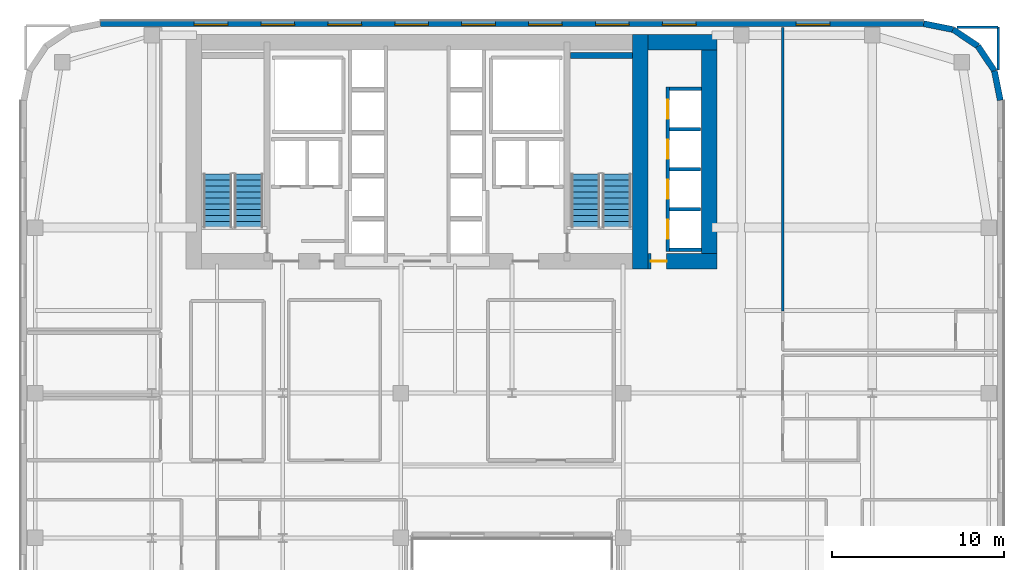
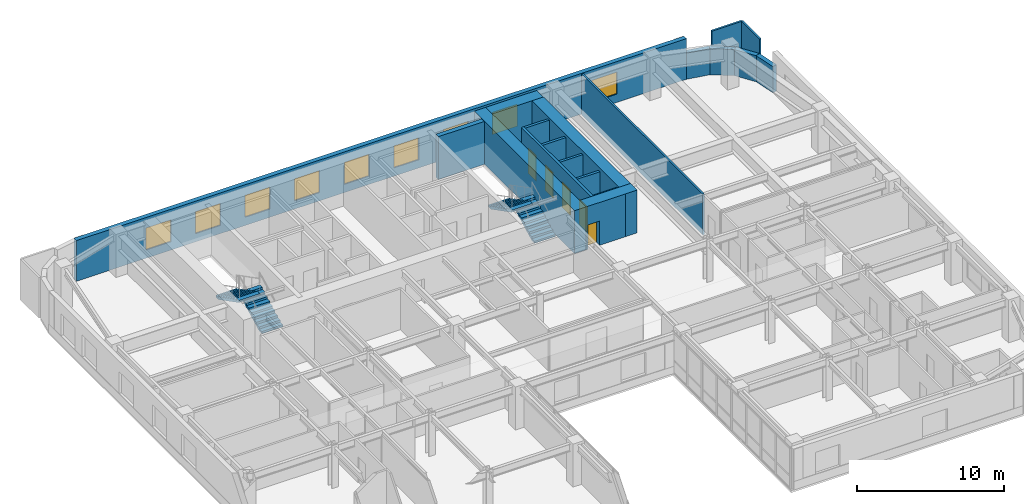
# One storey, part 18 of 24: 19 walls, 9 windows, 5 doors, 4 stair flights, 14 openings, 2 elements without a shape of their own.
"""IFC4 building model written with IfcOpenShell, lengths in metres."""

from ifc_helpers import new_model, si_unit, direction, frame, frame_2d, origin, place, context, subcontext, project, spatial, polyline, rectangle, outline, extrude, source, transform, mapped, material, layer, layer_set, type_object, type_shapes, element, fill, aggregate, save


model = new_model("IFC4")

# Units and contexts
model_context = context("Model", 3, precision=1e-05, world=origin(), true_north=direction((0.0, 1.0)))
body_context = subcontext(model_context, "Body", "Model", "MODEL_VIEW")
ifc_project = project(units=[si_unit("LENGTHUNIT", "METRE"), si_unit("AREAUNIT", "SQUARE_METRE"), si_unit("VOLUMEUNIT", "CUBIC_METRE"), si_unit("PLANEANGLEUNIT", "RADIAN"), si_unit("MASSUNIT", "GRAM", prefix="KILO")], contexts=[model_context])

# Site, building, storey
site_placement = place(None, origin())
site = spatial("IfcSite", under=ifc_project, at=site_placement, CompositionType="ELEMENT")
building_placement = place(site_placement, origin())
building = spatial("IfcBuilding", under=site, at=building_placement, Name="Tolvann Quenvar Hotel", CompositionType="ELEMENT")
storey_placement = place(building_placement, frame((0.0, 0.0, 88.800048828125)))
storey = spatial("IfcBuildingStorey", under=building, at=storey_placement, Name="L22", CompositionType="ELEMENT", Elevation=88.800048828125)

# Wall
ifc_material_1 = material(Name="Concrete S80 (80 MPa)", Category="concrete")
ifc_layer_1 = layer(ifc_material_1, 0.89990234375)
ifc_layer_set_1 = layer_set([ifc_layer_1], Name="Concrete S80 (80 MPa)")
wall_type_1 = type_object("IfcWallType", Name="WALL_CORE_900", PredefinedType="SHEAR", material=ifc_layer_set_1)
wall_1_placement = place(storey_placement, frame((35.949951171875, 31.60009765625, 0.0), z_axis=(0.0, 0.0, 1.0), x_axis=(0.0, 1.0, 0.0)))
element("IfcWall", 1, at=wall_1_placement, inside=storey, type_object=wall_type_1, Name="Rear Core E Shear Wall (L22)", PredefinedType="SHEAR", context=body_context, shape_type="SweptSolid", body=[
    extrude(rectangle(XDim=13.599853515625, YDim=0.89990234375, at=frame_2d((6.7998046875, 0.0))), origin(), (0.0, 0.0, 1.0), 3.550048828125),
])

# Wall, opening, door
wall_2_placement = place(storey_placement, frame((36.39990234375, 32.050048828125, 0.0), z_axis=(0.0, 0.0, 1.0), x_axis=(1.0, 0.0, 0.0)))
wall_2 = element("IfcWall", 2, at=wall_2_placement, inside=storey, type_object=wall_type_1, Name="Core East Annex Shear Wall ANN-S (L22)", PredefinedType="SHEAR", context=body_context, shape_type="SweptSolid", body=[
    extrude(rectangle(XDim=4.0, YDim=0.89990234375, at=frame_2d((2.0, 0.0))), origin(), (0.0, 0.0, 1.0), 3.550048828125),
])
opening_1_placement = place(wall_2_placement, frame((1.06982421875, 0.0, 0.0), z_axis=(0.0, 0.0, 1.0), x_axis=(-1.0, 0.0, 0.0)))
opening_1 = element("IfcOpeningElement", 3, at=opening_1_placement, cuts=wall_2, Name="Opening WD-01", PredefinedType="OPENING", context=body_context, shape_type="SweptSolid", body=[
    extrude(rectangle(XDim=0.919921875, YDim=2.010009765625, at=frame_2d((0.4599609375, 1.0048828125))), frame((0.0, 0.4599609375, 0.0), z_axis=(0.0, -1.0, 0.0), x_axis=(1.0, 0.0, 0.0)), (0.0, 0.0, 1.0), 0.919921875),
])
ifc_material_2 = material(Name="Solid-core American oak acoustic fire door leaf in steel frame", Category="steel")
door_type_1 = type_object("IfcDoorType", Name="DOOR_WC_920", OperationType="NOTDEFINED", PredefinedType="DOOR", material=ifc_material_2)
shared_shape_1 = source(origin(), body_context, "Body", "SweptSolid", [
    extrude(rectangle(XDim=0.919921875, YDim=2.010009765625, at=frame_2d((0.4599609375, 1.0048828125))), frame((0.0, 0.02490234375, 0.0), z_axis=(0.0, -1.0, 0.0), x_axis=(1.0, 0.0, 0.0)), (0.0, 0.0, 1.0), 0.050048828125),
])
type_shapes(door_type_1, [shared_shape_1])
door_1_placement = place(opening_1_placement, origin())
door_1 = element("IfcDoor", 4, at=door_1_placement, inside=storey, type_object=door_type_1, Name="Low-Rise Lift Lobby Fire Door (L22)", OperationType="SINGLE_SWING_RIGHT", OverallHeight=2.010009765625, OverallWidth=0.919921875, PredefinedType="DOOR", context=body_context, shape_type="MappedRepresentation", body=[
    mapped(shared_shape_1, transform((0.0, 0.0, 0.0), x_axis=(1.0, 0.0, 0.0), y_axis=(0.0, 1.0, 0.0), z_axis=(0.0, 0.0, 1.0), scale=1.0)),
])
fill(opening_1, door_1)

# Walls
wall_3_placement = place(storey_placement, frame((36.39990234375, 44.75, 0.0), z_axis=(0.0, 0.0, 1.0), x_axis=(1.0, 0.0, 0.0)))
element("IfcWall", 5, at=wall_3_placement, inside=storey, type_object=wall_type_1, Name="Core East Annex Shear Wall ANN-N (L22)", PredefinedType="SHEAR", context=body_context, shape_type="SweptSolid", body=[
    extrude(rectangle(XDim=4.0, YDim=0.89990234375, at=frame_2d((2.0, 0.0))), origin(), (0.0, 0.0, 1.0), 3.550048828125),
])
wall_4_placement = place(storey_placement, frame((39.949951171875, 31.60009765625, 0.0), z_axis=(0.0, 0.0, 1.0), x_axis=(0.0, 1.0, 0.0)))
element("IfcWall", 6, at=wall_4_placement, inside=storey, type_object=wall_type_1, Name="Core East Annex Shear Wall ANN-E (L22)", PredefinedType="SHEAR", context=body_context, shape_type="SweptSolid", body=[
    extrude(rectangle(XDim=13.599853515625, YDim=0.89990234375, at=frame_2d((6.7998046875, 0.0))), origin(), (0.0, 0.0, 1.0), 3.550048828125),
])
ifc_material_3 = material(Name="Concrete S65 (65 MPa)", Category="concrete")
ifc_layer_2 = layer(ifc_material_3, 0.35009765625)
ifc_layer_set_2 = layer_set([ifc_layer_2], Name="Concrete S65 (65 MPa)")
wall_type_2 = type_object("IfcWallType", Name="WALL_CORE_INT_350", PredefinedType="SHEAR", material=ifc_layer_set_2)
wall_5_placement = place(storey_placement, frame((31.8798828125, 43.97509765625, 0.0), z_axis=(0.0, 0.0, 1.0), x_axis=(1.0, 0.0, 0.0)))
element("IfcWall", 7, at=wall_5_placement, inside=storey, type_object=wall_type_2, Name="Core Stair North Closing Shear Wall STC2-N (L22)", PredefinedType="SHEAR", context=body_context, shape_type="SweptSolid", body=[
    extrude(rectangle(XDim=3.60009765625, YDim=0.35009765625, at=frame_2d((1.800048828125, 0.0))), origin(), (0.0, 0.0, 1.0), 3.550048828125),
])
ifc_material_4 = material(Name="Kiln-fired red and buff architectural clay brickwork and terracotta masonry", Category="masonry")
ifc_layer_3 = layer(ifc_material_4, 0.35009765625)
ifc_layer_set_3 = layer_set([ifc_layer_3], Name="Kiln-fired red and buff architectural clay brickwork and terracotta masonry")
wall_type_3 = type_object("IfcWallType", Name="WALL_EXT_BRICK_350", PredefinedType="SOLIDWALL", material=ifc_layer_set_3)
wall_6_placement = place(storey_placement, frame((56.824951171875, 41.3828125, 0.0), z_axis=(0.0, 0.0, 1.0), x_axis=(-0.195011420161, 0.980800971659, 0.0)))
element("IfcWall", 8, at=wall_6_placement, inside=storey, type_object=wall_type_3, Name="Exterior Chicago Brick Wall L22-E14", PredefinedType="SOLIDWALL", context=body_context, shape_type="SweptSolid", body=[
    extrude(rectangle(XDim=1.74267578125, YDim=0.35009765625, at=frame_2d((0.871337890625, 0.0))), origin(), (0.0, 0.0, 1.0), 2.159912109375),
])
for number, where, z_axis, x_axis, name in (
    (9, (56.485107421875, 43.092041015625, 0.0), (0.0, 0.0, 1.0), (-0.55554893791, 0.831483840845, 0.0), "Exterior Chicago Brick Wall L22-E15"),
    (10, (55.526611328125, 44.526611328125, 0.0), (0.0, 0.0, 1.0), (-0.831483840845, 0.55554893791, 0.0), "Exterior Chicago Brick Wall L22-E16"),
):
    element("IfcWall", number, at=place(storey_placement, frame(where, z_axis=z_axis, x_axis=x_axis)), inside=storey, type_object=wall_type_3, Name=name, PredefinedType="SOLIDWALL", context=body_context, shape_type="SweptSolid", body=[
        extrude(rectangle(XDim=1.725341796875, YDim=0.35009765625, at=frame_2d((0.86279296875, 0.0))), origin(), (0.0, 0.0, 1.0), 2.159912109375),
    ])
wall_7_placement = place(storey_placement, frame((54.092041015625, 45.485107421875, 0.0), z_axis=(0.0, 0.0, 1.0), x_axis=(-0.980800971659, 0.195011420161, 0.0)))
element("IfcWall", 11, at=wall_7_placement, inside=storey, type_object=wall_type_3, Name="Exterior Chicago Brick Wall L22-E17", PredefinedType="SOLIDWALL", context=body_context, shape_type="SweptSolid", body=[
    extrude(rectangle(XDim=1.74267578125, YDim=0.35009765625, at=frame_2d((0.871337890625, 0.0))), origin(), (0.0, 0.0, 1.0), 2.159912109375),
])

# Wall, openings, windows
wall_8_placement = place(storey_placement, frame((52.3828125, 45.824951171875, 0.0), z_axis=(0.0, 0.0, 1.0), x_axis=(-1.0, 0.0, 0.0)))
wall_8 = element("IfcWall", 12, at=wall_8_placement, inside=storey, type_object=wall_type_3, Name="Exterior Chicago Brick Wall L22-E18", PredefinedType="SOLIDWALL", context=body_context, shape_type="SweptSolid", body=[
    extrude(rectangle(XDim=47.765625, YDim=0.35009765625, at=frame_2d((23.8828125, 0.0))), origin(), (0.0, 0.0, 1.0), 3.369873046875),
])
opening_2_placement = place(wall_8_placement, frame((5.446044921875, 0.0, 0.679931640625)))
opening_2 = element("IfcOpeningElement", 13, at=opening_2_placement, cuts=wall_8, Name="Opening W-10", PredefinedType="OPENING", context=body_context, shape_type="SweptSolid", body=[
    extrude(rectangle(XDim=1.949951171875, YDim=1.820068359375, at=frame_2d((0.97509765625, 0.91015625))), frame((0.0, 0.18505859375, 0.0), z_axis=(0.0, -1.0, 0.0), x_axis=(1.0, 0.0, 0.0)), (0.0, 0.0, 1.0), 0.3701171875),
])
opening_3_placement = place(wall_8_placement, frame((13.20703125, 0.0, 0.679931640625)))
opening_3 = element("IfcOpeningElement", 14, at=opening_3_placement, cuts=wall_8, Name="Opening W-10", PredefinedType="OPENING", context=body_context, shape_type="SweptSolid", body=[
    extrude(rectangle(XDim=1.949951171875, YDim=1.820068359375, at=frame_2d((0.97509765625, 0.91015625))), frame((0.0, 0.18505859375, 0.0), z_axis=(0.0, -1.0, 0.0), x_axis=(1.0, 0.0, 0.0)), (0.0, 0.0, 1.0), 0.3701171875),
])
opening_4_placement = place(wall_8_placement, frame((17.0869140625, 0.0, 0.679931640625)))
opening_4 = element("IfcOpeningElement", 15, at=opening_4_placement, cuts=wall_8, Name="Opening W-10", PredefinedType="OPENING", context=body_context, shape_type="SweptSolid", body=[
    extrude(rectangle(XDim=1.949951171875, YDim=1.820068359375, at=frame_2d((0.97509765625, 0.91015625))), frame((0.0, 0.18505859375, 0.0), z_axis=(0.0, -1.0, 0.0), x_axis=(1.0, 0.0, 0.0)), (0.0, 0.0, 1.0), 0.3701171875),
])
opening_5_placement = place(wall_8_placement, frame((20.968017578125, 0.0, 0.679931640625)))
opening_5 = element("IfcOpeningElement", 16, at=opening_5_placement, cuts=wall_8, Name="Opening W-10", PredefinedType="OPENING", context=body_context, shape_type="SweptSolid", body=[
    extrude(rectangle(XDim=1.949951171875, YDim=1.820068359375, at=frame_2d((0.97509765625, 0.91015625))), frame((0.0, 0.18505859375, 0.0), z_axis=(0.0, -1.0, 0.0), x_axis=(1.0, 0.0, 0.0)), (0.0, 0.0, 1.0), 0.3701171875),
])
opening_6_placement = place(wall_8_placement, frame((24.847900390625, 0.0, 0.679931640625)))
opening_6 = element("IfcOpeningElement", 17, at=opening_6_placement, cuts=wall_8, Name="Opening W-10", PredefinedType="OPENING", context=body_context, shape_type="SweptSolid", body=[
    extrude(rectangle(XDim=1.949951171875, YDim=1.820068359375, at=frame_2d((0.97509765625, 0.91015625))), frame((0.0, 0.18505859375, 0.0), z_axis=(0.0, -1.0, 0.0), x_axis=(1.0, 0.0, 0.0)), (0.0, 0.0, 1.0), 0.3701171875),
])
opening_7_placement = place(wall_8_placement, frame((28.72900390625, 0.0, 0.679931640625)))
opening_7 = element("IfcOpeningElement", 18, at=opening_7_placement, cuts=wall_8, Name="Opening W-10", PredefinedType="OPENING", context=body_context, shape_type="SweptSolid", body=[
    extrude(rectangle(XDim=1.949951171875, YDim=1.820068359375, at=frame_2d((0.97509765625, 0.91015625))), frame((0.0, 0.18505859375, 0.0), z_axis=(0.0, -1.0, 0.0), x_axis=(1.0, 0.0, 0.0)), (0.0, 0.0, 1.0), 0.3701171875),
])
opening_8_placement = place(wall_8_placement, frame((32.60888671875, 0.0, 0.679931640625)))
opening_8 = element("IfcOpeningElement", 19, at=opening_8_placement, cuts=wall_8, Name="Opening W-10", PredefinedType="OPENING", context=body_context, shape_type="SweptSolid", body=[
    extrude(rectangle(XDim=1.949951171875, YDim=1.820068359375, at=frame_2d((0.97509765625, 0.91015625))), frame((0.0, 0.18505859375, 0.0), z_axis=(0.0, -1.0, 0.0), x_axis=(1.0, 0.0, 0.0)), (0.0, 0.0, 1.0), 0.3701171875),
])
opening_9_placement = place(wall_8_placement, frame((36.489013671875, 0.0, 0.679931640625)))
opening_9 = element("IfcOpeningElement", 20, at=opening_9_placement, cuts=wall_8, Name="Opening W-10", PredefinedType="OPENING", context=body_context, shape_type="SweptSolid", body=[
    extrude(rectangle(XDim=1.949951171875, YDim=1.820068359375, at=frame_2d((0.97509765625, 0.91015625))), frame((0.0, 0.18505859375, 0.0), z_axis=(0.0, -1.0, 0.0), x_axis=(1.0, 0.0, 0.0)), (0.0, 0.0, 1.0), 0.3701171875),
])
opening_10_placement = place(wall_8_placement, frame((40.3701171875, 0.0, 0.679931640625)))
opening_10 = element("IfcOpeningElement", 21, at=opening_10_placement, cuts=wall_8, Name="Opening W-10", PredefinedType="OPENING", context=body_context, shape_type="SweptSolid", body=[
    extrude(rectangle(XDim=1.949951171875, YDim=1.820068359375, at=frame_2d((0.97509765625, 0.91015625))), frame((0.0, 0.18505859375, 0.0), z_axis=(0.0, -1.0, 0.0), x_axis=(1.0, 0.0, 0.0)), (0.0, 0.0, 1.0), 0.3701171875),
])
ifc_material_5 = material(Name="Thermally broken bronze-anodised aluminium frame with double low-E glazing", Category="aluminium")
window_type = type_object("IfcWindowType", Name="WIN_CLB_1950x1850", PartitioningType="DOUBLE_PANEL_VERTICAL", PredefinedType="WINDOW", material=ifc_material_5)
shared_shape_2 = source(origin(), body_context, "Body", "SweptSolid", [
    extrude(rectangle(XDim=1.949951171875, YDim=1.820068359375, at=frame_2d((0.97509765625, 0.91015625))), frame((0.0, 0.090087890625, 0.0), z_axis=(0.0, -1.0, 0.0), x_axis=(1.0, 0.0, 0.0)), (0.0, 0.0, 1.0), 0.06005859375),
])
type_shapes(window_type, [shared_shape_2])
window_1_placement = place(opening_2_placement, origin())
window_1 = element("IfcWindow", 22, at=window_1_placement, inside=storey, type_object=window_type, Name="Chicago Window W-10 (EW-L22-E18-W01)", OverallHeight=1.820068359375, OverallWidth=1.949951171875, PartitioningType="DOUBLE_PANEL_VERTICAL", PredefinedType="WINDOW", context=body_context, shape_type="MappedRepresentation", body=[
    mapped(shared_shape_2, transform((0.0, 0.0, 0.0), x_axis=(1.0, 0.0, 0.0), y_axis=(0.0, 1.0, 0.0), z_axis=(0.0, 0.0, 1.0), scale=1.0)),
])
fill(opening_2, window_1)
window_2_placement = place(opening_3_placement, origin())
window_2 = element("IfcWindow", 23, at=window_2_placement, inside=storey, type_object=window_type, Name="Chicago Window W-10 (EW-L22-E18-W02)", OverallHeight=1.820068359375, OverallWidth=1.949951171875, PartitioningType="DOUBLE_PANEL_VERTICAL", PredefinedType="WINDOW", context=body_context, shape_type="MappedRepresentation", body=[
    mapped(shared_shape_2, transform((0.0, 0.0, 0.0), x_axis=(1.0, 0.0, 0.0), y_axis=(0.0, 1.0, 0.0), z_axis=(0.0, 0.0, 1.0), scale=1.0)),
])
fill(opening_3, window_2)
window_3_placement = place(opening_4_placement, origin())
window_3 = element("IfcWindow", 24, at=window_3_placement, inside=storey, type_object=window_type, Name="Chicago Window W-10 (EW-L22-E18-W03)", OverallHeight=1.820068359375, OverallWidth=1.949951171875, PartitioningType="DOUBLE_PANEL_VERTICAL", PredefinedType="WINDOW", context=body_context, shape_type="MappedRepresentation", body=[
    mapped(shared_shape_2, transform((0.0, 0.0, 0.0), x_axis=(1.0, 0.0, 0.0), y_axis=(0.0, 1.0, 0.0), z_axis=(0.0, 0.0, 1.0), scale=1.0)),
])
fill(opening_4, window_3)
window_4_placement = place(opening_5_placement, origin())
window_4 = element("IfcWindow", 25, at=window_4_placement, inside=storey, type_object=window_type, Name="Chicago Window W-10 (EW-L22-E18-W04)", OverallHeight=1.820068359375, OverallWidth=1.949951171875, PartitioningType="DOUBLE_PANEL_VERTICAL", PredefinedType="WINDOW", context=body_context, shape_type="MappedRepresentation", body=[
    mapped(shared_shape_2, transform((0.0, 0.0, 0.0), x_axis=(1.0, 0.0, 0.0), y_axis=(0.0, 1.0, 0.0), z_axis=(0.0, 0.0, 1.0), scale=1.0)),
])
fill(opening_5, window_4)
window_5_placement = place(opening_6_placement, origin())
window_5 = element("IfcWindow", 26, at=window_5_placement, inside=storey, type_object=window_type, Name="Chicago Window W-10 (EW-L22-E18-W05)", OverallHeight=1.820068359375, OverallWidth=1.949951171875, PartitioningType="DOUBLE_PANEL_VERTICAL", PredefinedType="WINDOW", context=body_context, shape_type="MappedRepresentation", body=[
    mapped(shared_shape_2, transform((0.0, 0.0, 0.0), x_axis=(1.0, 0.0, 0.0), y_axis=(0.0, 1.0, 0.0), z_axis=(0.0, 0.0, 1.0), scale=1.0)),
])
fill(opening_6, window_5)
window_6_placement = place(opening_7_placement, origin())
window_6 = element("IfcWindow", 27, at=window_6_placement, inside=storey, type_object=window_type, Name="Chicago Window W-10 (EW-L22-E18-W06)", OverallHeight=1.820068359375, OverallWidth=1.949951171875, PartitioningType="DOUBLE_PANEL_VERTICAL", PredefinedType="WINDOW", context=body_context, shape_type="MappedRepresentation", body=[
    mapped(shared_shape_2, transform((0.0, 0.0, 0.0), x_axis=(1.0, 0.0, 0.0), y_axis=(0.0, 1.0, 0.0), z_axis=(0.0, 0.0, 1.0), scale=1.0)),
])
fill(opening_7, window_6)
window_7_placement = place(opening_8_placement, origin())
window_7 = element("IfcWindow", 28, at=window_7_placement, inside=storey, type_object=window_type, Name="Chicago Window W-10 (EW-L22-E18-W07)", OverallHeight=1.820068359375, OverallWidth=1.949951171875, PartitioningType="DOUBLE_PANEL_VERTICAL", PredefinedType="WINDOW", context=body_context, shape_type="MappedRepresentation", body=[
    mapped(shared_shape_2, transform((0.0, 0.0, 0.0), x_axis=(1.0, 0.0, 0.0), y_axis=(0.0, 1.0, 0.0), z_axis=(0.0, 0.0, 1.0), scale=1.0)),
])
fill(opening_8, window_7)
window_8_placement = place(opening_9_placement, origin())
window_8 = element("IfcWindow", 29, at=window_8_placement, inside=storey, type_object=window_type, Name="Chicago Window W-10 (EW-L22-E18-W08)", OverallHeight=1.820068359375, OverallWidth=1.949951171875, PartitioningType="DOUBLE_PANEL_VERTICAL", PredefinedType="WINDOW", context=body_context, shape_type="MappedRepresentation", body=[
    mapped(shared_shape_2, transform((0.0, 0.0, 0.0), x_axis=(1.0, 0.0, 0.0), y_axis=(0.0, 1.0, 0.0), z_axis=(0.0, 0.0, 1.0), scale=1.0)),
])
fill(opening_9, window_8)
window_9_placement = place(opening_10_placement, origin())
window_9 = element("IfcWindow", 30, at=window_9_placement, inside=storey, type_object=window_type, Name="Chicago Window W-10 (EW-L22-E18-W09)", OverallHeight=1.820068359375, OverallWidth=1.949951171875, PartitioningType="DOUBLE_PANEL_VERTICAL", PredefinedType="WINDOW", context=body_context, shape_type="MappedRepresentation", body=[
    mapped(shared_shape_2, transform((0.0, 0.0, 0.0), x_axis=(1.0, 0.0, 0.0), y_axis=(0.0, 1.0, 0.0), z_axis=(0.0, 0.0, 1.0), scale=1.0)),
])
fill(opening_10, window_9)

# Walls
ifc_material_6 = material(Name="Acoustic twin-stud fire-rated gypsum plasterboard partition")
ifc_layer_4 = layer(ifc_material_6, 0.14990234375)
ifc_layer_set_4 = layer_set([ifc_layer_4], Name="Acoustic twin-stud fire-rated gypsum plasterboard partition")
wall_type_4 = type_object("IfcWallType", Name="WALL_PART_SUITE_150", PredefinedType="PARTITIONING", material=ifc_layer_set_4)
wall_9_placement = place(storey_placement, frame((56.699951171875, 43.135009765625, 0.0), z_axis=(0.0, 0.0, 1.0), x_axis=(0.0, 1.0, 0.0)))
element("IfcWall", 31, at=wall_9_placement, inside=storey, type_object=wall_type_4, Name="Interior Partition PT-SPC-L22-RM-NE01-E4", PredefinedType="PARTITIONING", context=body_context, shape_type="SweptSolid", body=[
    extrude(rectangle(XDim=2.485107421875, YDim=0.14990234375, at=frame_2d((1.24267578125, 0.0))), origin(), (0.0, 0.0, 1.0), 3.369873046875),
])
wall_10_placement = place(storey_placement, frame((54.303955078125, 45.6201171875, 0.0), z_axis=(0.0, 0.0, 1.0), x_axis=(1.0, 0.0, 0.0)))
element("IfcWall", 32, at=wall_10_placement, inside=storey, type_object=wall_type_4, Name="Interior Partition PT-SPC-L22-RM-NE01-E5", PredefinedType="PARTITIONING", context=body_context, shape_type="SweptSolid", body=[
    extrude(rectangle(XDim=2.39599609375, YDim=0.14990234375, at=frame_2d((1.197998046875, 0.0))), origin(), (0.0, 0.0, 1.0), 3.369873046875),
])
wall_11_placement = place(storey_placement, frame((44.199951171875, 29.169921875, 0.0), z_axis=(0.0, 0.0, 1.0), x_axis=(0.0, 1.0, 0.0)))
element("IfcWall", 33, at=wall_11_placement, inside=storey, type_object=wall_type_4, Name="Interior Partition PT-SPC-L22-RM-NE01-E6", PredefinedType="PARTITIONING", context=body_context, shape_type="SweptSolid", body=[
    extrude(rectangle(XDim=16.425048828125, YDim=0.14990234375, at=frame_2d((8.21240234375, 0.0))), origin(), (0.0, 0.0, 1.0), 3.369873046875),
])

# Wall, openings, doors
ifc_material_7 = material(Name="Concrete N40 (40 MPa)", Category="concrete")
ifc_layer_5 = layer(ifc_material_7, 0.199951171875)
ifc_layer_set_5 = layer_set([ifc_layer_5], Name="Concrete N40 (40 MPa)")
wall_type_5 = type_object("IfcWallType", Name="WALL_SHAFT_200", PredefinedType="SOLIDWALL", material=ifc_layer_set_5)
wall_12_placement = place(storey_placement, frame((37.530029296875, 32.610107421875, 0.0), z_axis=(0.0, 0.0, 1.0), x_axis=(0.0, 1.0, 0.0)))
wall_12 = element("IfcWall", 34, at=wall_12_placement, inside=storey, type_object=wall_type_5, Name="Lift Bank W37.6C1 Hoistway Front Wall (L22)", PredefinedType="SOLIDWALL", context=body_context, shape_type="SweptSolid", body=[
    extrude(rectangle(XDim=9.539794921875, YDim=0.199951171875, at=frame_2d((4.77001953125, 0.0))), origin(), (0.0, 0.0, 1.0), 3.369873046875),
])
opening_11_placement = place(wall_12_placement, frame((0.739990234375, 0.0, 0.0)))
opening_11 = element("IfcOpeningElement", 35, at=opening_11_placement, cuts=wall_12, Name="Opening LD-01", PredefinedType="OPENING", context=body_context, shape_type="SweptSolid", body=[
    extrude(rectangle(XDim=1.10009765625, YDim=2.1201171875, at=frame_2d((0.550048828125, 1.06005859375))), frame((0.0, 0.10986328125, 0.0), z_axis=(0.0, -1.0, 0.0), x_axis=(1.0, 0.0, 0.0)), (0.0, 0.0, 1.0), 0.219970703125),
])
opening_12_placement = place(wall_12_placement, frame((3.06005859375, 0.0, 0.0)))
opening_12 = element("IfcOpeningElement", 36, at=opening_12_placement, cuts=wall_12, Name="Opening LD-01", PredefinedType="OPENING", context=body_context, shape_type="SweptSolid", body=[
    extrude(rectangle(XDim=1.10009765625, YDim=2.1201171875, at=frame_2d((0.550048828125, 1.06005859375))), frame((0.0, 0.10986328125, 0.0), z_axis=(0.0, -1.0, 0.0), x_axis=(1.0, 0.0, 0.0)), (0.0, 0.0, 1.0), 0.219970703125),
])
opening_13_placement = place(wall_12_placement, frame((5.3798828125, 0.0, 0.0)))
opening_13 = element("IfcOpeningElement", 37, at=opening_13_placement, cuts=wall_12, Name="Opening LD-01", PredefinedType="OPENING", context=body_context, shape_type="SweptSolid", body=[
    extrude(rectangle(XDim=1.10009765625, YDim=2.1201171875, at=frame_2d((0.550048828125, 1.06005859375))), frame((0.0, 0.10986328125, 0.0), z_axis=(0.0, -1.0, 0.0), x_axis=(1.0, 0.0, 0.0)), (0.0, 0.0, 1.0), 0.219970703125),
])
opening_14_placement = place(wall_12_placement, frame((7.699951171875, 0.0, 0.0)))
opening_14 = element("IfcOpeningElement", 38, at=opening_14_placement, cuts=wall_12, Name="Opening LD-01", PredefinedType="OPENING", context=body_context, shape_type="SweptSolid", body=[
    extrude(rectangle(XDim=1.10009765625, YDim=2.1201171875, at=frame_2d((0.550048828125, 1.06005859375))), frame((0.0, 0.10986328125, 0.0), z_axis=(0.0, -1.0, 0.0), x_axis=(1.0, 0.0, 0.0)), (0.0, 0.0, 1.0), 0.219970703125),
])
ifc_material_8 = material(Name="Brushed 316 stainless steel automatic sliding lift landing door", Category="steel")
door_type_2 = type_object("IfcDoorType", Name="DOOR_LIFT_SLIDE_1100", OperationType="NOTDEFINED", PredefinedType="DOOR", material=ifc_material_8)
shared_shape_3 = source(origin(), body_context, "Body", "SweptSolid", [
    extrude(rectangle(XDim=1.10009765625, YDim=2.1201171875, at=frame_2d((0.550048828125, 1.06005859375))), frame((0.0, 0.02490234375, 0.0), z_axis=(0.0, -1.0, 0.0), x_axis=(1.0, 0.0, 0.0)), (0.0, 0.0, 1.0), 0.050048828125),
])
type_shapes(door_type_2, [shared_shape_3])
door_2_placement = place(opening_11_placement, origin())
door_2 = element("IfcDoor", 39, at=door_2_placement, inside=storey, type_object=door_type_2, Name="Lift PL-1 Sliding Landing Door (L22)", OperationType="SLIDING_TO_LEFT", OverallHeight=2.1201171875, OverallWidth=1.10009765625, PredefinedType="DOOR", context=body_context, shape_type="MappedRepresentation", body=[
    mapped(shared_shape_3, transform((0.0, 0.0, 0.0), x_axis=(1.0, 0.0, 0.0), y_axis=(0.0, 1.0, 0.0), z_axis=(0.0, 0.0, 1.0), scale=1.0)),
])
fill(opening_11, door_2)
door_3_placement = place(opening_12_placement, origin())
door_3 = element("IfcDoor", 40, at=door_3_placement, inside=storey, type_object=door_type_2, Name="Lift PL-2 Sliding Landing Door (L22)", OperationType="SLIDING_TO_RIGHT", OverallHeight=2.1201171875, OverallWidth=1.10009765625, PredefinedType="DOOR", context=body_context, shape_type="MappedRepresentation", body=[
    mapped(shared_shape_3, transform((0.0, 0.0, 0.0), x_axis=(1.0, 0.0, 0.0), y_axis=(0.0, 1.0, 0.0), z_axis=(0.0, 0.0, 1.0), scale=1.0)),
])
fill(opening_12, door_3)
door_4_placement = place(opening_13_placement, origin())
door_4 = element("IfcDoor", 41, at=door_4_placement, inside=storey, type_object=door_type_2, Name="Lift PL-3 Sliding Landing Door (L22)", OperationType="SLIDING_TO_LEFT", OverallHeight=2.1201171875, OverallWidth=1.10009765625, PredefinedType="DOOR", context=body_context, shape_type="MappedRepresentation", body=[
    mapped(shared_shape_3, transform((0.0, 0.0, 0.0), x_axis=(1.0, 0.0, 0.0), y_axis=(0.0, 1.0, 0.0), z_axis=(0.0, 0.0, 1.0), scale=1.0)),
])
fill(opening_13, door_4)
door_5_placement = place(opening_14_placement, origin())
door_5 = element("IfcDoor", 42, at=door_5_placement, inside=storey, type_object=door_type_2, Name="Lift PL-4 Sliding Landing Door (L22)", OperationType="SLIDING_TO_RIGHT", OverallHeight=2.1201171875, OverallWidth=1.10009765625, PredefinedType="DOOR", context=body_context, shape_type="MappedRepresentation", body=[
    mapped(shared_shape_3, transform((0.0, 0.0, 0.0), x_axis=(1.0, 0.0, 0.0), y_axis=(0.0, 1.0, 0.0), z_axis=(0.0, 0.0, 1.0), scale=1.0)),
])
fill(opening_14, door_5)

# Walls
for number, where, z_axis, x_axis, name in (
    (43, (37.6298828125, 32.7099609375, 0.0), (0.0, 0.0, 1.0), (1.0, 0.0, 0.0), "Lift Bank W37.6C1 Hoistway Cheek Wall 1 (L22)"),
    (44, (37.6298828125, 42.050048828125, 0.0), (0.0, 0.0, 1.0), (1.0, 0.0, 0.0), "Lift Bank W37.6C1 Hoistway Cheek Wall 2 (L22)"),
):
    element("IfcWall", number, at=place(storey_placement, frame(where, z_axis=z_axis, x_axis=x_axis)), inside=storey, type_object=wall_type_5, Name=name, PredefinedType="SOLIDWALL", context=body_context, shape_type="SweptSolid", body=[
        extrude(rectangle(XDim=1.8701171875, YDim=0.199951171875, at=frame_2d((0.93505859375, 0.0))), origin(), (0.0, 0.0, 1.0), 3.369873046875),
    ])
for number, where, z_axis, x_axis, name in (
    (45, (37.6298828125, 35.06005859375, 0.0), (0.0, 0.0, 1.0), (1.0, 0.0, 0.0), "Lift Bank W37.6C1 Divider Wall 1 (L22)"),
    (46, (37.6298828125, 37.3798828125, 0.0), (0.0, 0.0, 1.0), (1.0, 0.0, 0.0), "Lift Bank W37.6C1 Divider Wall 2 (L22)"),
    (47, (37.6298828125, 39.699951171875, 0.0), (0.0, 0.0, 1.0), (1.0, 0.0, 0.0), "Lift Bank W37.6C1 Divider Wall 3 (L22)"),
):
    element("IfcWall", number, at=place(storey_placement, frame(where, z_axis=z_axis, x_axis=x_axis)), inside=storey, type_object=wall_type_5, Name=name, PredefinedType="SOLIDWALL", context=body_context, shape_type="SweptSolid", body=[
        extrude(rectangle(XDim=1.800048828125, YDim=0.199951171875, at=frame_2d((0.89990234375, 0.0))), origin(), (0.0, 0.0, 1.0), 3.369873046875),
    ])

# Stair, stair flights
stair_type = type_object("IfcStairType", Name="STAIR", PredefinedType="HALF_TURN_STAIR", material=ifc_material_7)
stair_1_placement = place(storey_placement, origin())
stair_1 = element("IfcStair", 48, at=stair_1_placement, inside=storey, type_object=stair_type, Name="L22 ST-C1", PredefinedType="HALF_TURN_STAIR")
stair_flight_type = type_object("IfcStairFlightType", Name="STAIR_FLIGHT", PredefinedType="STRAIGHT", material=ifc_material_7)
stair_flight_1_placement = place(storey_placement, frame((13.22509765625, 34.0, 0.0), z_axis=(0.0, 0.0, 1.0), x_axis=(0.0, 1.0, 0.0)))
stair_flight_1 = element("IfcStairFlight", 49, at=stair_flight_1_placement, type_object=stair_flight_type, Name="ST-C1 flight 1", NumberOfRisers=10, NumberOfTreads=9, PredefinedType="STRAIGHT", RiserHeight=0.1775, TreadLength=0.345, context=body_context, shape_type="SweptSolid", body=[
    extrude(outline(polyline([(0.0, 0.0), (0.0, 0.177490234375), (0.344970703125, 0.177490234375), (0.344970703125, 0.35498046875), (0.68994140625, 0.35498046875), (0.68994140625, 0.532470703125), (1.034912109375, 0.532470703125), (1.034912109375, 0.7099609375), (1.3798828125, 0.7099609375), (1.3798828125, 0.887451171875), (1.72509765625, 0.887451171875), (1.72509765625, 1.06494140625), (2.070068359375, 1.06494140625), (2.070068359375, 1.242431640625), (2.4150390625, 1.242431640625), (2.4150390625, 1.419921875), (2.760009765625, 1.419921875), (2.760009765625, 1.597412109375), (3.10498046875, 1.597412109375), (3.10498046875, 1.77490234375), (3.10498046875, 1.428955078125), (0.32763671875, 0.0), (0.0, 0.0)])), frame((0.0, 0.824951171875, 0.0), z_axis=(0.0, -1.0, 0.0), x_axis=(1.0, 0.0, 0.0)), (0.0, 0.0, 1.0), 1.64990234375),
])
stair_flight_2_placement = place(storey_placement, frame((11.425048828125, 37.10498046875, 1.77490234375), z_axis=(0.0, 0.0, 1.0), x_axis=(0.0, -1.0, 0.0)))
stair_flight_2 = element("IfcStairFlight", 50, at=stair_flight_2_placement, type_object=stair_flight_type, Name="ST-C1 flight 2", NumberOfRisers=10, NumberOfTreads=9, PredefinedType="STRAIGHT", RiserHeight=0.1775, TreadLength=0.345, context=body_context, shape_type="SweptSolid", body=[
    extrude(outline(polyline([(0.0, 0.0), (0.0, 0.177490234375), (0.344970703125, 0.177490234375), (0.344970703125, 0.35498046875), (0.68994140625, 0.35498046875), (0.68994140625, 0.532470703125), (1.034912109375, 0.532470703125), (1.034912109375, 0.7099609375), (1.3798828125, 0.7099609375), (1.3798828125, 0.887451171875), (1.72509765625, 0.887451171875), (1.72509765625, 1.06494140625), (2.070068359375, 1.06494140625), (2.070068359375, 1.242431640625), (2.4150390625, 1.242431640625), (2.4150390625, 1.419921875), (2.760009765625, 1.419921875), (2.760009765625, 1.597412109375), (3.10498046875, 1.597412109375), (3.10498046875, 1.77490234375), (3.10498046875, 1.428955078125), (0.32763671875, 0.0), (0.0, 0.0)])), frame((0.0, 0.824951171875, 0.0), z_axis=(0.0, -1.0, 0.0), x_axis=(1.0, 0.0, 0.0)), (0.0, 0.0, 1.0), 1.64990234375),
])
aggregate(stair_1, [stair_flight_1, stair_flight_2])

stair_2_placement = place(storey_placement, origin())
stair_2 = element("IfcStair", 51, at=stair_2_placement, inside=storey, type_object=stair_type, Name="L22 ST-C2", PredefinedType="HALF_TURN_STAIR")
stair_flight_3_placement = place(storey_placement, frame((34.574951171875, 34.0, 0.0), z_axis=(0.0, 0.0, 1.0), x_axis=(0.0, 1.0, 0.0)))
stair_flight_3 = element("IfcStairFlight", 52, at=stair_flight_3_placement, type_object=stair_flight_type, Name="ST-C2 flight 1", NumberOfRisers=10, NumberOfTreads=9, PredefinedType="STRAIGHT", RiserHeight=0.1775, TreadLength=0.345, context=body_context, shape_type="SweptSolid", body=[
    extrude(outline(polyline([(0.0, 0.0), (0.0, 0.177490234375), (0.344970703125, 0.177490234375), (0.344970703125, 0.35498046875), (0.68994140625, 0.35498046875), (0.68994140625, 0.532470703125), (1.034912109375, 0.532470703125), (1.034912109375, 0.7099609375), (1.3798828125, 0.7099609375), (1.3798828125, 0.887451171875), (1.72509765625, 0.887451171875), (1.72509765625, 1.06494140625), (2.070068359375, 1.06494140625), (2.070068359375, 1.242431640625), (2.4150390625, 1.242431640625), (2.4150390625, 1.419921875), (2.760009765625, 1.419921875), (2.760009765625, 1.597412109375), (3.10498046875, 1.597412109375), (3.10498046875, 1.77490234375), (3.10498046875, 1.428955078125), (0.32763671875, 0.0), (0.0, 0.0)])), frame((0.0, 0.824951171875, 0.0), z_axis=(0.0, -1.0, 0.0), x_axis=(1.0, 0.0, 0.0)), (0.0, 0.0, 1.0), 1.64990234375),
])
stair_flight_4_placement = place(storey_placement, frame((32.77490234375, 37.10498046875, 1.77490234375), z_axis=(0.0, 0.0, 1.0), x_axis=(0.0, -1.0, 0.0)))
stair_flight_4 = element("IfcStairFlight", 53, at=stair_flight_4_placement, type_object=stair_flight_type, Name="ST-C2 flight 2", NumberOfRisers=10, NumberOfTreads=9, PredefinedType="STRAIGHT", RiserHeight=0.1775, TreadLength=0.345, context=body_context, shape_type="SweptSolid", body=[
    extrude(outline(polyline([(0.0, 0.0), (0.0, 0.177490234375), (0.344970703125, 0.177490234375), (0.344970703125, 0.35498046875), (0.68994140625, 0.35498046875), (0.68994140625, 0.532470703125), (1.034912109375, 0.532470703125), (1.034912109375, 0.7099609375), (1.3798828125, 0.7099609375), (1.3798828125, 0.887451171875), (1.72509765625, 0.887451171875), (1.72509765625, 1.06494140625), (2.070068359375, 1.06494140625), (2.070068359375, 1.242431640625), (2.4150390625, 1.242431640625), (2.4150390625, 1.419921875), (2.760009765625, 1.419921875), (2.760009765625, 1.597412109375), (3.10498046875, 1.597412109375), (3.10498046875, 1.77490234375), (3.10498046875, 1.428955078125), (0.32763671875, 0.0), (0.0, 0.0)])), frame((0.0, 0.824951171875, 0.0), z_axis=(0.0, -1.0, 0.0), x_axis=(1.0, 0.0, 0.0)), (0.0, 0.0, 1.0), 1.64990234375),
])
aggregate(stair_2, [stair_flight_3, stair_flight_4])

save(model, "model.ifc")
